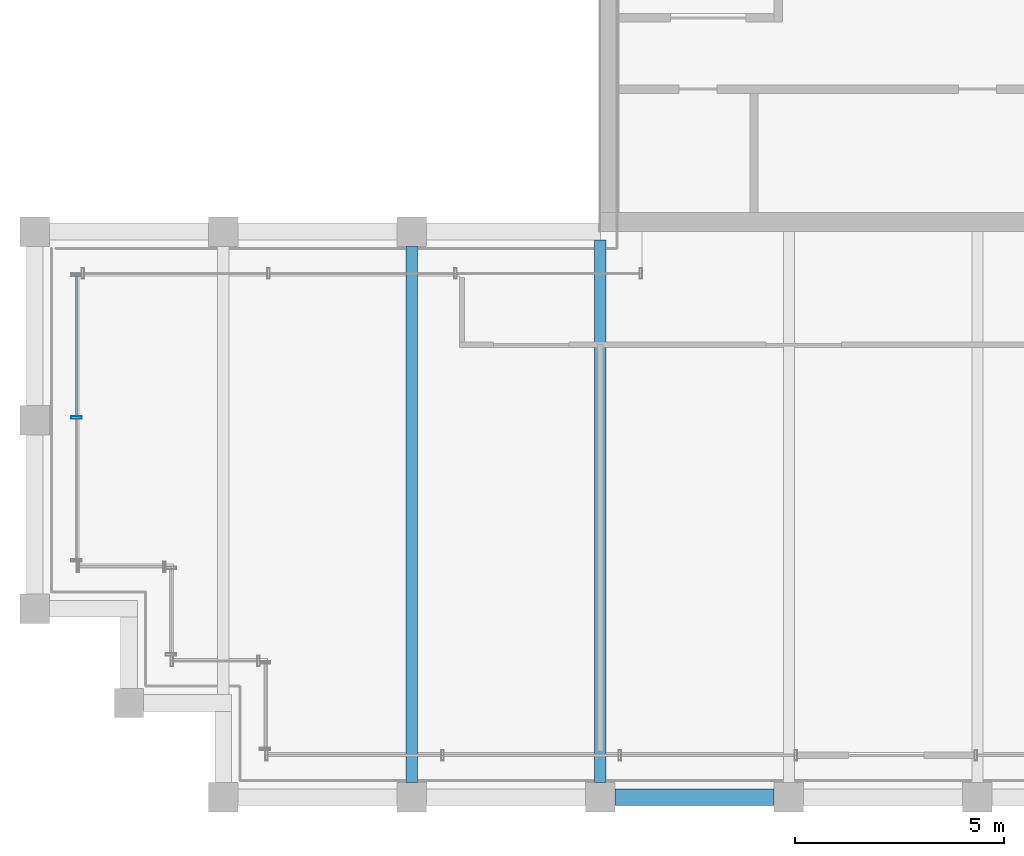
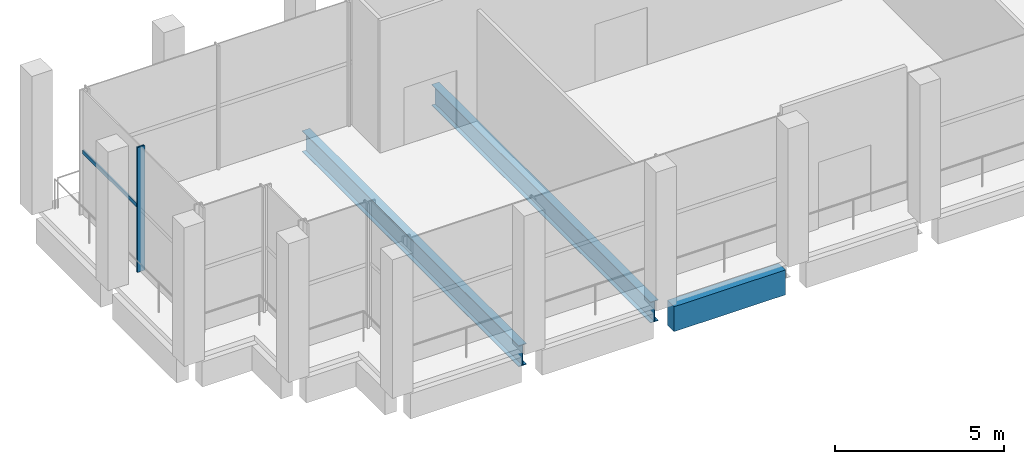
# One storey, part 3 of 14: 3 beams, 2 members, 1 element without a shape of its own.
"""IFC4 building model written with IfcOpenShell, lengths in metres."""

from ifc_helpers import new_model, si_unit, direction, frame, origin, origin_2d, place, context, subcontext, project, spatial, rectangle, hollow_rectangle, i_section, extrude, material, material_profile, profile_set, type_object, element, aggregate, save


model = new_model("IFC4")

# Units and contexts
model_context = context("Model", 3, precision=1e-05, world=origin(), true_north=direction((0.0, 1.0)))
body_context = subcontext(model_context, "Body", "Model", "MODEL_VIEW")
ifc_project = project(units=[si_unit("LENGTHUNIT", "METRE"), si_unit("AREAUNIT", "SQUARE_METRE"), si_unit("VOLUMEUNIT", "CUBIC_METRE"), si_unit("PLANEANGLEUNIT", "RADIAN"), si_unit("MASSUNIT", "GRAM", prefix="KILO")], contexts=[model_context])

# Site, building, storey
site_placement = place(None, origin())
site = spatial("IfcSite", under=ifc_project, at=site_placement, CompositionType="ELEMENT")
building_placement = place(site_placement, origin())
building = spatial("IfcBuilding", under=site, at=building_placement, Name="Altepetl Exchange Towers", CompositionType="ELEMENT")
storey_placement = place(building_placement, frame((0.0, 0.0, 269.60009765625)))
storey = spatial("IfcBuildingStorey", under=building, at=storey_placement, Name="L68 Observation gallery", CompositionType="ELEMENT", Elevation=269.60009765625)

# Beams
ifc_material_1 = material(Name="Steel S355", Category="steel")
ifc_material_profile_1 = material_profile(ifc_material_1, i_section(OverallWidth=0.26611328125, OverallDepth=0.758056640625, WebThickness=0.013916015625, FlangeThickness=0.019287109375, at=origin_2d()), Name="W30X108")
ifc_profile_set_1 = profile_set([ifc_material_profile_1], Name="Steel S355")
beam_type_1 = type_object("IfcBeamType", Name="Floor beam W30X108", PredefinedType="BEAM", material=ifc_profile_set_1)
beam_1_placement = place(storey_placement, frame((36.0, 27.35009765625, -0.55419921875), z_axis=(0.0, 1.0, 0.0), x_axis=(-1.0, 0.0, 0.0)))
element("IfcBeam", 1, at=beam_1_placement, inside=storey, type_object=beam_type_1, Name="bm:A:L68:007", PredefinedType="BEAM", context=body_context, shape_type="SweptSolid", body=[
    extrude(i_section(OverallWidth=0.26611328125, OverallDepth=0.758056640625, WebThickness=0.013916015625, FlangeThickness=0.019287109375, at=origin_2d()), origin(), (0.0, 0.0, 1.0), 12.7998046875),
])
beam_2_placement = place(storey_placement, frame((40.5, 27.35009765625, -0.55419921875), z_axis=(0.0, 1.0, 0.0), x_axis=(-1.0, 0.0, 0.0)))
element("IfcBeam", 2, at=beam_2_placement, inside=storey, type_object=beam_type_1, Name="bm:A:L68:008", PredefinedType="BEAM", context=body_context, shape_type="SweptSolid", body=[
    extrude(i_section(OverallWidth=0.26611328125, OverallDepth=0.758056640625, WebThickness=0.013916015625, FlangeThickness=0.019287109375, at=origin_2d()), origin(), (0.0, 0.0, 1.0), 12.949951171875),
])

# Curtain wall, member
ifc_material_2 = material(Name="Aluminium 6063-T6 glazing", Category="aluminium")
curtain_wall_type = type_object("IfcCurtainWallType", Name="Executive flush glazing system", PredefinedType="NOTDEFINED", material=ifc_material_2)
curtain_wall_placement = place(storey_placement, origin())
curtain_wall = element("IfcCurtainWall", 3, at=curtain_wall_placement, inside=storey, type_object=curtain_wall_type, Name="CW4 run", PredefinedType="NOTDEFINED")
ifc_material_3 = material(Name="Aluminium 6063-T6", Category="aluminium")
ifc_material_profile_2 = material_profile(ifc_material_3, hollow_rectangle(XDim=0.06005859375, YDim=0.25, WallThickness=0.0029296875, at=origin_2d()), Name="Mullion 60x250 hollow aluminium")
ifc_profile_set_2 = profile_set([ifc_material_profile_2], Name="Aluminium 6063-T6")
member_type_1 = type_object("IfcMemberType", Name="Mullion 60x250 hollow aluminium", PredefinedType="MULLION", material=ifc_profile_set_2)
member_1_placement = place(storey_placement, frame((28.0, 36.0625, 0.0), z_axis=(0.0, 0.0, 1.0), x_axis=(0.0, -1.0, 0.0)))
member_1 = element("IfcMember", 4, at=member_1_placement, type_object=member_type_1, Name="MU3 mullion", PredefinedType="MULLION", context=body_context, shape_type="SweptSolid", body=[
    extrude(hollow_rectangle(XDim=0.06005859375, YDim=0.25, WallThickness=0.0029296875, at=origin_2d()), origin(), (0.0, 0.0, 1.0), 4.5),
])

# Beam
ifc_material_4 = material(Name="Concrete C50/60 precast with cantera blanca facing", Category="concrete")
ifc_material_profile_3 = material_profile(ifc_material_4, rectangle(XDim=0.39990234375, YDim=0.89990234375, at=origin_2d()), Name="400 x 900")
ifc_profile_set_3 = profile_set([ifc_material_profile_3], Name="Concrete C50/60 precast with cantera blanca facing")
beam_type_2 = type_object("IfcBeamType", Name="Spandrel beam 400x900 cantera blanca", PredefinedType="SPANDREL", material=ifc_profile_set_3)
beam_3_placement = place(storey_placement, frame((40.85009765625, 27.0, -0.625), z_axis=(1.0, 0.0, 0.0), x_axis=(0.0, 1.0, 0.0)))
element("IfcBeam", 5, at=beam_3_placement, inside=storey, type_object=beam_type_2, Name="sp:A:L68:002", PredefinedType="SPANDREL", context=body_context, shape_type="SweptSolid", body=[
    extrude(rectangle(XDim=0.39990234375, YDim=0.89990234375, at=origin_2d()), origin(), (0.0, 0.0, 1.0), 3.7998046875),
])

# Member
ifc_material_profile_4 = material_profile(ifc_material_3, hollow_rectangle(XDim=0.050048828125, YDim=0.139892578125, WallThickness=0.0029296875, at=origin_2d()), Name="Transom 50x140 hollow aluminium")
ifc_profile_set_4 = profile_set([ifc_material_profile_4], Name="Aluminium 6063-T6")
member_type_2 = type_object("IfcMemberType", Name="Transom 50x140 hollow aluminium", PredefinedType="USERDEFINED", material=ifc_profile_set_4)
member_2_placement = place(storey_placement, frame((28.0, 39.43994140625, 2.25), z_axis=(0.0, -1.0, 0.0), x_axis=(1.0, 0.0, 0.0)))
member_2 = element("IfcMember", 6, at=member_2_placement, type_object=member_type_2, Name="TR2 transom", ObjectType="TRANSOM", PredefinedType="USERDEFINED", context=body_context, shape_type="SweptSolid", body=[
    extrude(hollow_rectangle(XDim=0.050048828125, YDim=0.139892578125, WallThickness=0.0029296875, at=origin_2d()), origin(), (0.0, 0.0, 1.0), 3.347412109375),
])

aggregate(curtain_wall, [member_1, member_2])

save(model, "model.ifc")
